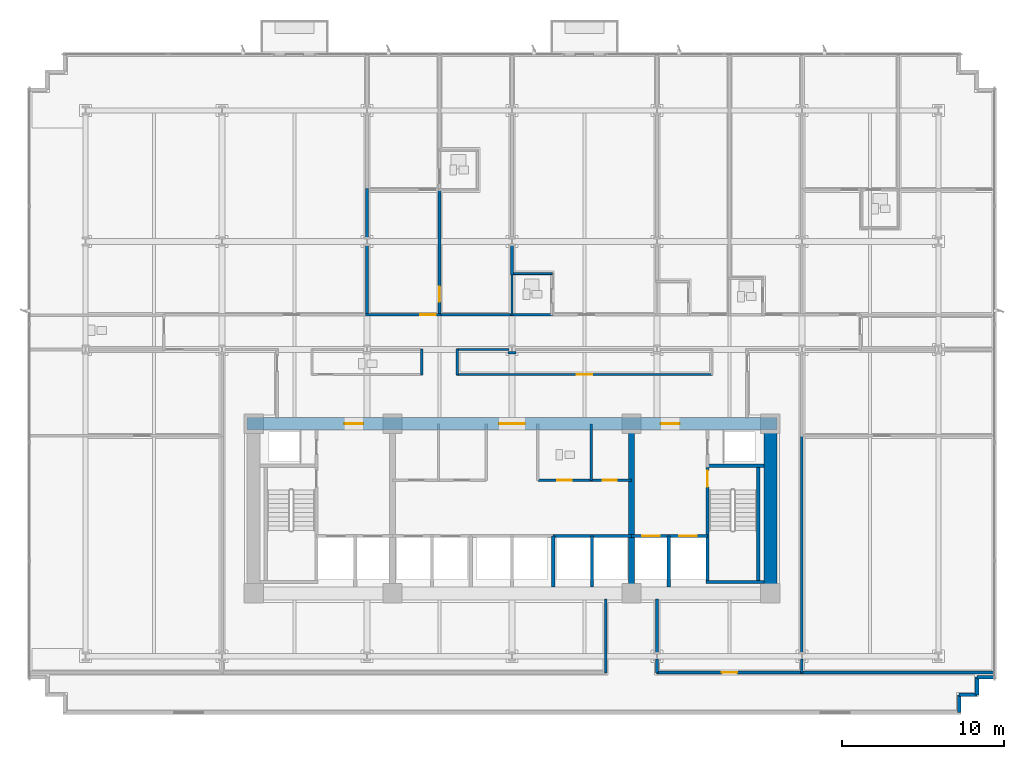
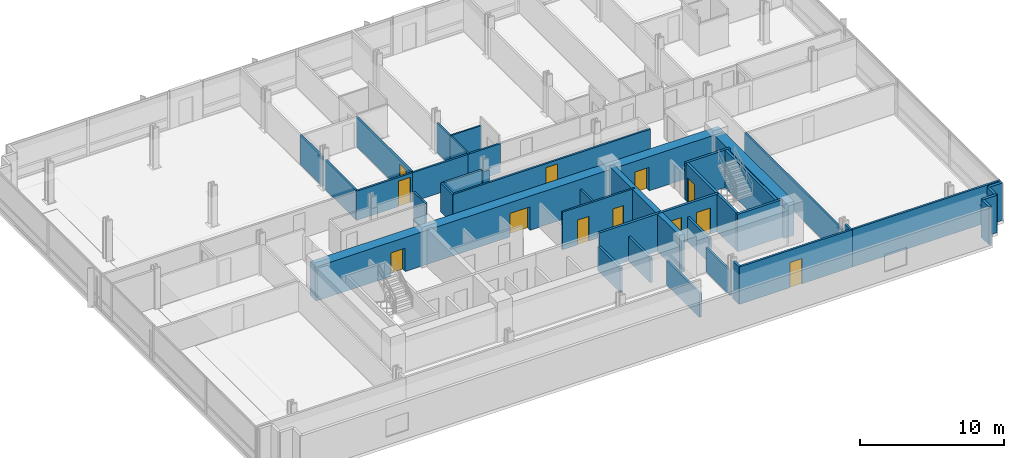
# One storey, part 9 of 17: 39 walls, 12 doors, 12 openings.
"""IFC4 building model written with IfcOpenShell, lengths in metres."""

import ifcopenshell
import ifcopenshell.guid

model = None  # the IFC model being written
_history = None  # IfcOwnerHistory: only IFC2X3 demands one
_inside = {}  # id of a spatial element -> (the spatial element, [elements in it])
_under = {}  # id of a project, library or spatial element -> (it, [spatial elements below it])
_declared = {}  # id of a project -> (the project, [libraries it declares])
_typed = {}  # id of a type object -> (the type object, [elements of that type])
_made_of = {}  # id of a material, layer set ... -> (it, [elements and type objects made of it])


def new_model(schema):
    """Start an empty IFC model of exactly this schema.

    Asked for "IFC4X3", IfcOpenShell would pick the latest addendum, in which some entities
    have other attributes; the version numbers below select the first issue.
    IFC2X3 requires an IfcOwnerHistory on every rooted entity: one is made here for all.
    """
    global model, _history
    if schema == "IFC4X3":
        model = ifcopenshell.file(schema_version=(4, 3, 0, 0))
    else:
        model = ifcopenshell.file(schema=schema)
    _inside.clear()
    _under.clear()
    _declared.clear()
    _typed.clear()
    _made_of.clear()
    _history = None
    if model.schema == "IFC2X3":
        org = make("IfcOrganization", Name="unknown")
        user = make(
            "IfcPersonAndOrganization",
            ThePerson=make("IfcPerson", FamilyName="unknown"),
            TheOrganization=org,
        )
        app = make(
            "IfcApplication",
            ApplicationDeveloper=org,
            Version="unknown",
            ApplicationFullName="unknown",
            ApplicationIdentifier="unknown",
        )
        _history = make(
            "IfcOwnerHistory",
            OwningUser=user,
            OwningApplication=app,
            ChangeAction="ADDED",
            CreationDate=0,
        )
    return model


def make(cls, **values):
    """One entity of the class cls with the attributes given. An attribute that is None is left unset."""
    return model.create_entity(
        cls, **{name: value for name, value in values.items() if value is not None}
    )


def rooted(cls, **values):
    """An entity with a GlobalId (a new one), such as an element, a storey or a relation."""
    return make(cls, GlobalId=ifcopenshell.guid.new(), OwnerHistory=_history, **values)


def si_unit(unit_type, name, prefix=None):
    """IfcSIUnit, for example si_unit("LENGTHUNIT", "METRE", prefix="MILLI")."""
    return make("IfcSIUnit", UnitType=unit_type, Prefix=prefix, Name=name)


def assignment(units):
    """IfcUnitAssignment: the units of a project."""
    return None if units is None else make("IfcUnitAssignment", Units=units)


def point(xyz):
    """IfcCartesianPoint."""
    return None if xyz is None else make("IfcCartesianPoint", Coordinates=xyz)


def direction(xyz):
    """IfcDirection."""
    return None if xyz is None else make("IfcDirection", DirectionRatios=xyz)


def frame(location, z_axis=None, x_axis=None):
    """IfcAxis2Placement3D, a coordinate frame: its origin and axes. An axis left out is left unset."""
    return make(
        "IfcAxis2Placement3D",
        Location=point(location),
        Axis=direction(z_axis),
        RefDirection=direction(x_axis),
    )


def frame_2d(location, x_axis=None):
    """IfcAxis2Placement2D, a coordinate frame in the plane: its origin and x axis."""
    return make(
        "IfcAxis2Placement2D", Location=point(location), RefDirection=direction(x_axis)
    )


def origin():
    """The frame at (0, 0, 0) with its axes left unset."""
    return frame((0.0, 0.0, 0.0))


def place(relative_to, where):
    """IfcLocalPlacement: puts the frame where relative to a parent placement (None: the world)."""
    return make(
        "IfcLocalPlacement", PlacementRelTo=relative_to, RelativePlacement=where
    )


def context(
    kind, dimensions, precision=None, world=None, true_north=None, identifier=None
):
    """IfcGeometricRepresentationContext, for example the 3D "Model" context."""
    return make(
        "IfcGeometricRepresentationContext",
        ContextIdentifier=identifier,
        ContextType=kind,
        CoordinateSpaceDimension=dimensions,
        Precision=precision,
        WorldCoordinateSystem=world,
        TrueNorth=true_north,
    )


def subcontext(parent, identifier, kind, view, scale=None):
    """IfcGeometricRepresentationSubContext, for example "Body" below "Model"."""
    return make(
        "IfcGeometricRepresentationSubContext",
        ContextIdentifier=identifier,
        ContextType=kind,
        ParentContext=parent,
        TargetScale=scale,
        TargetView=view,
    )


def project(units=None, contexts=None):
    """IfcProject with its units and contexts."""
    return rooted(
        "IfcProject",
        Name="project",
        RepresentationContexts=contexts,
        UnitsInContext=assignment(units),
    )


def spatial(cls, under=None, at=None, **own):
    """A site, building, storey or space (cls), placed at a placement, below another one or the project."""
    s = rooted(cls, ObjectPlacement=at, **own)
    if under is not None:
        _under.setdefault(under.id(), (under, []))[1].append(s)
    return s


def profile(cls, at=None, kind="AREA", **sizes):
    """A parametric profile (cls). Its sizes go by their IFC names, for example OverallWidth=200.0."""
    return make(cls, ProfileType=kind, Position=at, **sizes)


def rectangle(**sizes):
    """IfcRectangleProfileDef."""
    return profile("IfcRectangleProfileDef", **sizes)


def extrude(swept, where, along, depth):
    """IfcExtrudedAreaSolid: the profile swept, set in the frame where, extruded along a direction by depth."""
    return make(
        "IfcExtrudedAreaSolid",
        SweptArea=swept,
        Position=where,
        ExtrudedDirection=direction(along),
        Depth=depth,
    )


def shape(context_of_items, identifier, shape_type, items):
    """IfcShapeRepresentation: the items that make up one representation, for example the "Body"."""
    return make(
        "IfcShapeRepresentation",
        ContextOfItems=context_of_items,
        RepresentationIdentifier=identifier,
        RepresentationType=shape_type,
        Items=items,
    )


def material(Name=None, Category=None):
    """IfcMaterial."""
    return make("IfcMaterial", Name=Name, Category=Category)


def layer(
    of_material, thickness, ventilated=None, Name=None, Category=None, Priority=None
):
    """IfcMaterialLayer: one layer of a wall or slab, of a material (None: an air gap)."""
    return make(
        "IfcMaterialLayer",
        Material=of_material,
        LayerThickness=thickness,
        IsVentilated=ventilated,
        Name=Name,
        Category=Category,
        Priority=Priority,
    )


def layer_set(layers, Name=None):
    """IfcMaterialLayerSet."""
    return make("IfcMaterialLayerSet", MaterialLayers=layers, LayerSetName=Name)


def made_of(thing, what):
    """Note that an element or type object is made of a material, layer set ...; save() writes the relation."""
    if what is not None:
        _made_of.setdefault(what.id(), (what, []))[1].append(thing)
    return thing


def type_object(cls, material=None, **own):
    """A type object (cls), such as IfcWallType, which elements share."""
    return made_of(rooted(cls, **own), material)


def element(
    cls,
    number,
    at=None,
    inside=None,
    cuts=None,
    type_object=None,
    material=None,
    context=None,
    identifier="Body",
    shape_type=None,
    held_by="IfcProductDefinitionShape",
    body=None,
    shapes=None,
    **own,
):
    """One element of the class cls, such as IfcWall. Its Tag is "e" and its number.

    at: its placement. inside: the storey or other place that contains it. cuts: it is an
    opening in that element (IfcRelVoidsElement). A single representation is given by context,
    identifier, shape_type and body (its items); several are given by shapes. held_by: the class
    of the entity that holds the representations. save() writes the other relations.
    """
    e = rooted(cls, Tag="e%d" % number, ObjectPlacement=at, **own)
    if body is not None:
        shapes = [shape(context, identifier, shape_type, body)]
    if shapes is not None:
        e.Representation = make(held_by, Representations=shapes)
    if inside is not None:
        _inside.setdefault(inside.id(), (inside, []))[1].append(e)
    if cuts is not None:
        rooted(
            "IfcRelVoidsElement", RelatingBuildingElement=cuts, RelatedOpeningElement=e
        )
    if type_object is not None:
        _typed.setdefault(type_object.id(), (type_object, []))[1].append(e)
    return made_of(e, material)


def fill(opening, filler):
    """IfcRelFillsElement: the door or window that sits in an opening."""
    return rooted(
        "IfcRelFillsElement",
        RelatingOpeningElement=opening,
        RelatedBuildingElement=filler,
    )


def aggregate(whole, parts):
    """IfcRelAggregates: a whole, such as a stair, and the parts it consists of."""
    return rooted("IfcRelAggregates", RelatingObject=whole, RelatedObjects=parts)


def save(model, path):
    """Write the relations noted so far, then the file.

    IfcRelAggregates (storeys below a building ...), IfcRelContainedInSpatialStructure (elements
    in a storey), IfcRelDefinesByType, IfcRelAssociatesMaterial and IfcRelDeclares: one each for
    every whole, place, type object, material and project.
    """
    for whole, parts in _under.values():
        aggregate(whole, parts)
    for where, things in _inside.values():
        rooted(
            "IfcRelContainedInSpatialStructure",
            RelatedElements=things,
            RelatingStructure=where,
        )
    for kind, things in _typed.values():
        rooted("IfcRelDefinesByType", RelatedObjects=things, RelatingType=kind)
    for what, things in _made_of.values():
        rooted("IfcRelAssociatesMaterial", RelatedObjects=things, RelatingMaterial=what)
    for by, libraries in _declared.values():
        rooted("IfcRelDeclares", RelatingContext=by, RelatedDefinitions=libraries)
    model.write(path)


model = new_model("IFC4")

# Units and contexts
model_context = context("Model", 3, precision=1e-05, world=origin(), true_north=direction((0.0, 1.0)))
body_context = subcontext(model_context, "Body", "Model", "MODEL_VIEW")
ifc_project = project(units=[si_unit("LENGTHUNIT", "METRE"), si_unit("AREAUNIT", "SQUARE_METRE"), si_unit("VOLUMEUNIT", "CUBIC_METRE"), si_unit("PLANEANGLEUNIT", "RADIAN"), si_unit("MASSUNIT", "GRAM", prefix="KILO")], contexts=[model_context])

# Site, building, storey
site_placement = place(None, origin())
site = spatial("IfcSite", under=ifc_project, at=site_placement, CompositionType="ELEMENT")
building_placement = place(site_placement, origin())
building = spatial("IfcBuilding", under=site, at=building_placement, Name="Solmavex Isthmus Hotel", CompositionType="ELEMENT")
storey_placement = place(building_placement, frame((0.0, 0.0, 47.10009765625)))
storey = spatial("IfcBuildingStorey", under=building, at=storey_placement, Name="L12", CompositionType="ELEMENT", Elevation=47.10009765625)

# Walls
ifc_material_1 = material(Name="Precast Concrete C40/50", Category="concrete")
ifc_layer_1 = layer(ifc_material_1, 0.25)
ifc_layer_set_1 = layer_set([ifc_layer_1], Name="Precast Concrete C40/50")
wall_type_1 = type_object("IfcWallType", Name="EW-TWR-250", PredefinedType="STANDARD", material=ifc_layer_set_1)
wall_1_placement = place(storey_placement, frame((29.889892578125, -18.18994140625, 0.0), z_axis=(0.0, 0.0, 1.0), x_axis=(-1.0, 0.0, 0.0)))
element("IfcWall", 1, at=wall_1_placement, inside=storey, type_object=wall_type_1, Name="Serrated Corner Facade Panel L12-16", PredefinedType="STANDARD", context=body_context, shape_type="SweptSolid", body=[
    extrude(rectangle(XDim=1.099853515625, YDim=0.219970703125, at=frame_2d((0.5498046875, 0.0))), origin(), (0.0, 0.0, 1.0), 3.18994140625),
])
for number, where, z_axis, x_axis, name in (
    (2, (28.7900390625, -18.18994140625, 0.0), (0.0, 0.0, 1.0), (0.0, -1.0, 0.0), "Serrated Corner Facade Panel L12-17"),
    (3, (28.7900390625, -19.2900390625, 0.0), (0.0, 0.0, 1.0), (-1.0, 0.0, 0.0), "Serrated Corner Facade Panel L12-18"),
):
    element("IfcWall", number, at=place(storey_placement, frame(where, z_axis=z_axis, x_axis=x_axis)), inside=storey, type_object=wall_type_1, Name=name, PredefinedType="STANDARD", context=body_context, shape_type="SweptSolid", body=[
        extrude(rectangle(XDim=1.10009765625, YDim=0.219970703125, at=frame_2d((0.550048828125, 0.0))), origin(), (0.0, 0.0, 1.0), 3.18994140625),
    ])
wall_2_placement = place(storey_placement, frame((27.68994140625, -19.2900390625, 0.0), z_axis=(0.0, 0.0, 1.0), x_axis=(0.0, -1.0, 0.0)))
element("IfcWall", 4, at=wall_2_placement, inside=storey, type_object=wall_type_1, Name="Serrated Corner Facade Panel L12-19", PredefinedType="STANDARD", context=body_context, shape_type="SweptSolid", body=[
    extrude(rectangle(XDim=1.099853515625, YDim=0.219970703125, at=frame_2d((0.5498046875, 0.0))), origin(), (0.0, 0.0, 1.0), 3.18994140625),
])
ifc_material_2 = material(Name="Gypsum plasterboard lining", Category="gypsum")
ifc_layer_2 = layer(ifc_material_2, 0.159912109375)
ifc_layer_set_2 = layer_set([ifc_layer_2], Name="Gypsum plasterboard lining")
wall_type_2 = type_object("IfcWallType", Name="IW-COMP-160", PredefinedType="PARTITIONING", material=ifc_layer_set_2)
wall_3_placement = place(storey_placement, frame((-8.97607421875, 8.613037109375, 0.0), z_axis=(0.0, 0.0, 1.0), x_axis=(0.0, -1.0, 0.0)))
element("IfcWall", 5, at=wall_3_placement, inside=storey, type_object=wall_type_2, Name="Interior Partition Wall W-L12-P033", PredefinedType="PARTITIONING", context=body_context, shape_type="SweptSolid", body=[
    extrude(rectangle(XDim=4.403076171875, YDim=0.159912109375, at=frame_2d((2.20166015625, 0.0))), origin(), (0.0, 0.0, 1.0), 2.4794921875),
])
wall_4_placement = place(storey_placement, frame((-8.97607421875, 12.070068359375, 0.0), z_axis=(0.0, 0.0, 1.0), x_axis=(0.0, -1.0, 0.0)))
element("IfcWall", 6, at=wall_4_placement, inside=storey, type_object=wall_type_2, Name="Interior Partition Wall W-L12-P034", PredefinedType="PARTITIONING", context=body_context, shape_type="SweptSolid", body=[
    extrude(rectangle(XDim=3.107177734375, YDim=0.159912109375, at=frame_2d((1.5537109375, 0.0))), origin(), (0.0, 0.0, 1.0), 2.4794921875),
])

# Wall, opening, door
wall_5_placement = place(storey_placement, frame((-4.488037109375, 12.028076171875, 0.0), z_axis=(0.0, 0.0, 1.0), x_axis=(0.0, -1.0, 0.0)))
wall_5 = element("IfcWall", 7, at=wall_5_placement, inside=storey, type_object=wall_type_2, Name="Interior Partition Wall W-L12-P039", PredefinedType="PARTITIONING", context=body_context, shape_type="SweptSolid", body=[
    extrude(rectangle(XDim=7.818115234375, YDim=0.159912109375, at=frame_2d((3.9091796875, 0.0))), origin(), (0.0, 0.0, 1.0), 2.4794921875),
])
opening_1_placement = place(wall_5_placement, frame((6.033935546875, 0.0, 0.0)))
opening_1 = element("IfcOpeningElement", 8, at=opening_1_placement, cuts=wall_5, Name="Opening ID-C095", PredefinedType="OPENING", context=body_context, shape_type="SweptSolid", body=[
    extrude(rectangle(XDim=0.949951171875, YDim=2.14990234375, at=frame_2d((0.47509765625, 1.074951171875))), frame((0.0, 0.08984375, 0.0), z_axis=(0.0, -1.0, 0.0), x_axis=(1.0, 0.0, 0.0)), (0.0, 0.0, 1.0), 0.179931640625),
])
ifc_material_3 = material(Name="Hardwood timber", Category="wood")
door_type_1 = type_object("IfcDoorType", Name="IDR-FD60-0950", OperationType="NOTDEFINED", PredefinedType="DOOR", material=ifc_material_3)
door_1_placement = place(opening_1_placement, origin())
door_1 = element("IfcDoor", 9, at=door_1_placement, inside=storey, type_object=door_type_1, Name="Premier Suite Living Lounge Door L12-04", OperationType="SINGLE_SWING_RIGHT", OverallHeight=2.14990234375, OverallWidth=0.949951171875, PredefinedType="DOOR", context=body_context, shape_type="SweptSolid", body=[
    extrude(rectangle(XDim=0.949951171875, YDim=2.14990234375, at=frame_2d((0.47509765625, 1.074951171875))), frame((0.0, 0.02490234375, 0.0), z_axis=(0.0, -1.0, 0.0), x_axis=(1.0, 0.0, 0.0)), (0.0, 0.0, 1.0), 0.050048828125),
])
fill(opening_1, door_1)

# Wall
wall_6_placement = place(storey_placement, frame((0.0, 8.613037109375, 0.0), z_axis=(0.0, 0.0, 1.0), x_axis=(0.0, -1.0, 0.0)))
element("IfcWall", 10, at=wall_6_placement, inside=storey, type_object=wall_type_2, Name="Interior Partition Wall W-L12-P045", PredefinedType="PARTITIONING", context=body_context, shape_type="SweptSolid", body=[
    extrude(rectangle(XDim=1.89501953125, YDim=0.159912109375, at=frame_2d((0.947509765625, 0.0))), origin(), (0.0, 0.0, 1.0), 2.4794921875),
])

# Wall, opening, door
wall_7_placement = place(storey_placement, frame((17.991943359375, -17.89990234375, 0.0), z_axis=(0.0, 0.0, 1.0), x_axis=(-1.0, 0.0, 0.0)))
wall_7 = element("IfcWall", 11, at=wall_7_placement, inside=storey, type_object=wall_type_2, Name="Interior Partition Wall W-L12-P081", PredefinedType="PARTITIONING", context=body_context, shape_type="SweptSolid", body=[
    extrude(rectangle(XDim=9.055908203125, YDim=0.159912109375, at=frame_2d((4.52783203125, 0.0))), origin(), (0.0, 0.0, 1.0), 3.18994140625),
])
opening_2_placement = place(wall_7_placement, frame((4.052978515625, 0.0, 0.0)))
opening_2 = element("IfcOpeningElement", 12, at=opening_2_placement, cuts=wall_7, Name="Opening ID-C095", PredefinedType="OPENING", context=body_context, shape_type="SweptSolid", body=[
    extrude(rectangle(XDim=0.949951171875, YDim=2.14990234375, at=frame_2d((0.47509765625, 1.074951171875))), frame((0.0, 0.08984375, 0.0), z_axis=(0.0, -1.0, 0.0), x_axis=(1.0, 0.0, 0.0)), (0.0, 0.0, 1.0), 0.179931640625),
])
door_2_placement = place(opening_2_placement, origin())
door_2 = element("IfcDoor", 13, at=door_2_placement, inside=storey, type_object=door_type_1, Name="Corporate Briefing Office Door L12-24", OperationType="SINGLE_SWING_RIGHT", OverallHeight=2.14990234375, OverallWidth=0.949951171875, PredefinedType="DOOR", context=body_context, shape_type="SweptSolid", body=[
    extrude(rectangle(XDim=0.949951171875, YDim=2.14990234375, at=frame_2d((0.47509765625, 1.074951171875))), frame((0.0, 0.02490234375, 0.0), z_axis=(0.0, -1.0, 0.0), x_axis=(1.0, 0.0, 0.0)), (0.0, 0.0, 1.0), 0.050048828125),
])
fill(opening_2, door_2)

# Walls
wall_8_placement = place(storey_placement, frame((8.97607421875, -17.93994140625, 0.0), z_axis=(0.0, 0.0, 1.0), x_axis=(0.0, 1.0, 0.0)))
element("IfcWall", 14, at=wall_8_placement, inside=storey, type_object=wall_type_2, Name="Interior Partition Wall W-L12-P082", PredefinedType="PARTITIONING", context=body_context, shape_type="SweptSolid", body=[
    extrude(rectangle(XDim=0.864990234375, YDim=0.159912109375, at=frame_2d((0.4326171875, 0.0))), origin(), (0.0, 0.0, 1.0), 3.18994140625),
])
wall_9_placement = place(storey_placement, frame((8.97607421875, -16.72509765625, 0.0), z_axis=(0.0, 0.0, 1.0), x_axis=(0.0, 1.0, 0.0)))
element("IfcWall", 15, at=wall_9_placement, inside=storey, type_object=wall_type_2, Name="Interior Partition Wall W-L12-P083", PredefinedType="PARTITIONING", context=body_context, shape_type="SweptSolid", body=[
    extrude(rectangle(XDim=3.364990234375, YDim=0.159912109375, at=frame_2d((1.6826171875, 0.0))), origin(), (0.0, 0.0, 1.0), 2.074951171875),
])
wall_10_placement = place(storey_placement, frame((17.951904296875, -17.074951171875, 0.0), z_axis=(0.0, 0.0, 1.0), x_axis=(0.0, -1.0, 0.0)))
element("IfcWall", 16, at=wall_10_placement, inside=storey, type_object=wall_type_2, Name="Interior Partition Wall W-L12-P084", PredefinedType="PARTITIONING", context=body_context, shape_type="SweptSolid", body=[
    extrude(rectangle(XDim=0.864990234375, YDim=0.159912109375, at=frame_2d((0.4326171875, 0.0))), origin(), (0.0, 0.0, 1.0), 3.18994140625),
])
wall_11_placement = place(storey_placement, frame((17.951904296875, -3.16796875, 0.0), z_axis=(0.0, 0.0, 1.0), x_axis=(0.0, -1.0, 0.0)))
element("IfcWall", 17, at=wall_11_placement, inside=storey, type_object=wall_type_2, Name="Interior Partition Wall W-L12-P085", PredefinedType="PARTITIONING", context=body_context, shape_type="SweptSolid", body=[
    extrude(rectangle(XDim=13.55712890625, YDim=0.159912109375, at=frame_2d((6.778564453125, 0.0))), origin(), (0.0, 0.0, 1.0), 2.4794921875),
])
wall_12_placement = place(storey_placement, frame((5.800048828125, -13.360107421875, 0.0), z_axis=(0.0, 0.0, 1.0), x_axis=(0.0, -1.0, 0.0)))
element("IfcWall", 18, at=wall_12_placement, inside=storey, type_object=wall_type_2, Name="Interior Partition Wall W-L12-P086", PredefinedType="PARTITIONING", context=body_context, shape_type="SweptSolid", body=[
    extrude(rectangle(XDim=4.579833984375, YDim=0.159912109375, at=frame_2d((2.2900390625, 0.0))), origin(), (0.0, 0.0, 1.0), 2.074951171875),
])
wall_13_placement = place(storey_placement, frame((17.8701171875, -17.89990234375, 0.0), z_axis=(0.0, 0.0, 1.0), x_axis=(1.0, 0.0, 0.0)))
element("IfcWall", 19, at=wall_13_placement, inside=storey, type_object=wall_type_2, Name="Interior Partition Wall W-L12-P091", PredefinedType="PARTITIONING", context=body_context, shape_type="SweptSolid", body=[
    extrude(rectangle(XDim=12.0498046875, YDim=0.159912109375, at=frame_2d((6.02490234375, 0.0))), origin(), (0.0, 0.0, 1.0), 3.18994140625),
])

# Wall, openings, doors
ifc_layer_3 = layer(ifc_material_2, 0.14990234375)
ifc_layer_set_3 = layer_set([ifc_layer_3], Name="Gypsum plasterboard lining")
wall_type_3 = type_object("IfcWallType", Name="IW-CORR-150", PredefinedType="PARTITIONING", material=ifc_layer_set_3)
wall_14_placement = place(storey_placement, frame((1.60009765625, -6.0, 0.0), z_axis=(0.0, 0.0, 1.0), x_axis=(1.0, 0.0, 0.0)))
wall_14 = element("IfcWall", 20, at=wall_14_placement, inside=storey, type_object=wall_type_3, Name="Interior Partition Wall W-L12-BOH-ES", PredefinedType="PARTITIONING", context=body_context, shape_type="SweptSolid", body=[
    extrude(rectangle(XDim=5.7998046875, YDim=0.14990234375, at=frame_2d((2.89990234375, 0.0))), origin(), (0.0, 0.0, 1.0), 3.18994140625),
])
opening_3_placement = place(wall_14_placement, frame((1.199951171875, 0.0, 0.0)))
opening_3 = element("IfcOpeningElement", 21, at=opening_3_placement, cuts=wall_14, Name="Opening ID-C090", PredefinedType="OPENING", context=body_context, shape_type="SweptSolid", body=[
    extrude(rectangle(XDim=0.89990234375, YDim=2.10009765625, at=frame_2d((0.449951171875, 1.050048828125))), frame((0.0, 0.0849609375, 0.0), z_axis=(0.0, -1.0, 0.0), x_axis=(1.0, 0.0, 0.0)), (0.0, 0.0, 1.0), 0.169921875),
])
opening_4_placement = place(wall_14_placement, frame((4.02490234375, 0.0, 0.0)))
opening_4 = element("IfcOpeningElement", 22, at=opening_4_placement, cuts=wall_14, Name="Opening ID-R085", PredefinedType="OPENING", context=body_context, shape_type="SweptSolid", body=[
    extrude(rectangle(XDim=0.85009765625, YDim=2.050048828125, at=frame_2d((0.425048828125, 1.02490234375))), frame((0.0, 0.0849609375, 0.0), z_axis=(0.0, -1.0, 0.0), x_axis=(1.0, 0.0, 0.0)), (0.0, 0.0, 1.0), 0.169921875),
])
ifc_material_4 = material(Name="Steel ASTM A500 Grade C", Category="steel")
door_type_2 = type_object("IfcDoorType", Name="IDR-FD60-0850", OperationType="NOTDEFINED", PredefinedType="DOOR", material=ifc_material_4)
door_3_placement = place(opening_4_placement, frame((0.85009765625, 0.0, 0.0), z_axis=(0.0, 0.0, 1.0), x_axis=(-1.0, 0.0, 0.0)))
door_3 = element("IfcDoor", 23, at=door_3_placement, inside=storey, type_object=door_type_2, Name="IT Room Door L12", OperationType="SINGLE_SWING_RIGHT", OverallHeight=2.050048828125, OverallWidth=0.85009765625, PredefinedType="DOOR", context=body_context, shape_type="SweptSolid", body=[
    extrude(rectangle(XDim=0.85009765625, YDim=2.050048828125, at=frame_2d((0.425048828125, 1.02490234375))), frame((0.0, 0.02490234375, 0.0), z_axis=(0.0, -1.0, 0.0), x_axis=(1.0, 0.0, 0.0)), (0.0, 0.0, 1.0), 0.050048828125),
])
fill(opening_4, door_3)
door_type_3 = type_object("IfcDoorType", Name="IDR-FD60-0900", OperationType="NOTDEFINED", PredefinedType="DOOR", material=ifc_material_3)
door_4_placement = place(opening_3_placement, frame((0.89990234375, 0.0, 0.0), z_axis=(0.0, 0.0, 1.0), x_axis=(-1.0, 0.0, 0.0)))
door_4 = element("IfcDoor", 24, at=door_4_placement, inside=storey, type_object=door_type_3, Name="Staff Restroom Door L12", OperationType="SINGLE_SWING_LEFT", OverallHeight=2.10009765625, OverallWidth=0.89990234375, PredefinedType="DOOR", context=body_context, shape_type="SweptSolid", body=[
    extrude(rectangle(XDim=0.89990234375, YDim=2.10009765625, at=frame_2d((0.449951171875, 1.050048828125))), frame((0.0, 0.02490234375, 0.0), z_axis=(0.0, -1.0, 0.0), x_axis=(1.0, 0.0, 0.0)), (0.0, 0.0, 1.0), 0.050048828125),
])
fill(opening_3, door_4)

# Wall, opening, door
wall_15_placement = place(storey_placement, frame((-9.05810546875, 4.25, 0.0), z_axis=(0.0, 0.0, 1.0), x_axis=(1.0, 0.0, 0.0)))
wall_15 = element("IfcWall", 25, at=wall_15_placement, inside=storey, type_object=wall_type_3, Name="Interior Partition Wall W-L12-P002", PredefinedType="PARTITIONING", context=body_context, shape_type="SweptSolid", body=[
    extrude(rectangle(XDim=4.652099609375, YDim=0.14990234375, at=frame_2d((2.326171875, 0.0))), origin(), (0.0, 0.0, 1.0), 2.4794921875),
])
opening_5_placement = place(wall_15_placement, frame((3.38720703125, 0.0, 0.0)))
opening_5 = element("IfcOpeningElement", 26, at=opening_5_placement, cuts=wall_15, Name="Opening ID-C095", PredefinedType="OPENING", context=body_context, shape_type="SweptSolid", body=[
    extrude(rectangle(XDim=0.949951171875, YDim=2.14990234375, at=frame_2d((0.47509765625, 1.074951171875))), frame((0.0, 0.0849609375, 0.0), z_axis=(0.0, -1.0, 0.0), x_axis=(1.0, 0.0, 0.0)), (0.0, 0.0, 1.0), 0.169921875),
])
door_5_placement = place(opening_5_placement, origin())
door_5 = element("IfcDoor", 27, at=door_5_placement, inside=storey, type_object=door_type_1, Name="Premier Suite Entrance Hall Door L12-02", OperationType="SINGLE_SWING_RIGHT", OverallHeight=2.14990234375, OverallWidth=0.949951171875, PredefinedType="DOOR", context=body_context, shape_type="SweptSolid", body=[
    extrude(rectangle(XDim=0.949951171875, YDim=2.14990234375, at=frame_2d((0.47509765625, 1.074951171875))), frame((0.0, 0.02490234375, 0.0), z_axis=(0.0, -1.0, 0.0), x_axis=(1.0, 0.0, 0.0)), (0.0, 0.0, 1.0), 0.050048828125),
])
fill(opening_5, door_5)

# Walls
wall_16_placement = place(storey_placement, frame((-4.570068359375, 4.25, 0.0), z_axis=(0.0, 0.0, 1.0), x_axis=(1.0, 0.0, 0.0)))
element("IfcWall", 28, at=wall_16_placement, inside=storey, type_object=wall_type_3, Name="Interior Partition Wall W-L12-P003", PredefinedType="PARTITIONING", context=body_context, shape_type="SweptSolid", body=[
    extrude(rectangle(XDim=4.652099609375, YDim=0.14990234375, at=frame_2d((2.326171875, 0.0))), origin(), (0.0, 0.0, 1.0), 2.4794921875),
])
wall_17_placement = place(storey_placement, frame((-0.08203125, 4.25, 0.0), z_axis=(0.0, 0.0, 1.0), x_axis=(1.0, 0.0, 0.0)))
element("IfcWall", 29, at=wall_17_placement, inside=storey, type_object=wall_type_3, Name="Interior Partition Wall W-L12-P005", PredefinedType="PARTITIONING", context=body_context, shape_type="SweptSolid", body=[
    extrude(rectangle(XDim=2.614013671875, YDim=0.14990234375, at=frame_2d((1.30712890625, 0.0))), origin(), (0.0, 0.0, 1.0), 2.4794921875),
])
wall_18_placement = place(storey_placement, frame((-5.587890625, 0.510009765625, 0.0), z_axis=(0.0, 0.0, 1.0), x_axis=(0.0, 1.0, 0.0)))
element("IfcWall", 30, at=wall_18_placement, inside=storey, type_object=wall_type_3, Name="Interior Partition Wall W-L12-P014", PredefinedType="PARTITIONING", context=body_context, shape_type="SweptSolid", body=[
    extrude(rectangle(XDim=1.6298828125, YDim=0.14990234375, at=frame_2d((0.81494140625, 0.0))), origin(), (0.0, 0.0, 1.0), 2.4794921875),
])
wall_19_placement = place(storey_placement, frame((0.2548828125, 1.885009765625, 0.0), z_axis=(0.0, 0.0, 1.0), x_axis=(-1.0, 0.0, 0.0)))
element("IfcWall", 31, at=wall_19_placement, inside=storey, type_object=wall_type_3, Name="Interior Partition Wall W-L12-P019", PredefinedType="PARTITIONING", context=body_context, shape_type="SweptSolid", body=[
    extrude(rectangle(XDim=0.509765625, YDim=0.14990234375, at=frame_2d((0.2548828125, 0.0))), origin(), (0.0, 0.0, 1.0), 2.4794921875),
])
wall_20_placement = place(storey_placement, frame((-0.175048828125, 2.10009765625, 0.0), z_axis=(0.0, 0.0, 1.0), x_axis=(-1.0, 0.0, 0.0)))
element("IfcWall", 32, at=wall_20_placement, inside=storey, type_object=wall_type_3, Name="Interior Partition Wall W-L12-P020", PredefinedType="PARTITIONING", context=body_context, shape_type="SweptSolid", body=[
    extrude(rectangle(XDim=3.2529296875, YDim=0.14990234375, at=frame_2d((1.62646484375, 0.0))), origin(), (0.0, 0.0, 1.0), 2.4794921875),
])
wall_21_placement = place(storey_placement, frame((-3.387939453125, 2.139892578125, 0.0), z_axis=(0.0, 0.0, 1.0), x_axis=(0.0, -1.0, 0.0)))
element("IfcWall", 33, at=wall_21_placement, inside=storey, type_object=wall_type_3, Name="Interior Partition Wall W-L12-P021", PredefinedType="PARTITIONING", context=body_context, shape_type="SweptSolid", body=[
    extrude(rectangle(XDim=1.6298828125, YDim=0.14990234375, at=frame_2d((0.81494140625, 0.0))), origin(), (0.0, 0.0, 1.0), 2.4794921875),
])

# Wall, opening, door
wall_22_placement = place(storey_placement, frame((-3.427978515625, 0.550048828125, 0.0), z_axis=(0.0, 0.0, 1.0), x_axis=(1.0, 0.0, 0.0)))
wall_22 = element("IfcWall", 34, at=wall_22_placement, inside=storey, type_object=wall_type_3, Name="Interior Partition Wall W-L12-P022", PredefinedType="PARTITIONING", context=body_context, shape_type="SweptSolid", body=[
    extrude(rectangle(XDim=15.85205078125, YDim=0.14990234375, at=frame_2d((7.926025390625, 0.0))), origin(), (0.0, 0.0, 1.0), 2.4794921875),
])
opening_6_placement = place(wall_22_placement, frame((7.450927734375, 0.0, 0.0)))
opening_6 = element("IfcOpeningElement", 35, at=opening_6_placement, cuts=wall_22, Name="Opening ID-C095", PredefinedType="OPENING", context=body_context, shape_type="SweptSolid", body=[
    extrude(rectangle(XDim=0.949951171875, YDim=2.14990234375, at=frame_2d((0.47509765625, 1.074951171875))), frame((0.0, 0.0849609375, 0.0), z_axis=(0.0, -1.0, 0.0), x_axis=(1.0, 0.0, 0.0)), (0.0, 0.0, 1.0), 0.169921875),
])
door_6_placement = place(opening_6_placement, origin())
door_6 = element("IfcDoor", 36, at=door_6_placement, inside=storey, type_object=door_type_1, Name="Seminar Meeting Room Door L12-19", OperationType="SINGLE_SWING_LEFT", OverallHeight=2.14990234375, OverallWidth=0.949951171875, PredefinedType="DOOR", context=body_context, shape_type="SweptSolid", body=[
    extrude(rectangle(XDim=0.949951171875, YDim=2.14990234375, at=frame_2d((0.47509765625, 1.074951171875))), frame((0.0, 0.02490234375, 0.0), z_axis=(0.0, -1.0, 0.0), x_axis=(1.0, 0.0, 0.0)), (0.0, 0.0, 1.0), 0.050048828125),
])
fill(opening_6, door_6)

# Walls
ifc_layer_4 = layer(ifc_material_2, 0.1201171875)
ifc_layer_set_4 = layer_set([ifc_layer_4], Name="Gypsum plasterboard lining")
wall_type_4 = type_object("IfcWallType", Name="IW-PART-120", PredefinedType="PARTITIONING", material=ifc_layer_set_4)
wall_23_placement = place(storey_placement, frame((4.89990234375, -6.0, 0.0), z_axis=(0.0, 0.0, 1.0), x_axis=(0.0, 1.0, 0.0)))
element("IfcWall", 37, at=wall_23_placement, inside=storey, type_object=wall_type_4, Name="Interior Partition Wall W-L12-BOH-EM2", PredefinedType="PARTITIONING", context=body_context, shape_type="SweptSolid", body=[
    extrude(rectangle(XDim=3.5, YDim=0.14990234375, at=frame_2d((1.75, 0.0))), origin(), (0.0, 0.0, 1.0), 2.074951171875),
])
wall_24_placement = place(storey_placement, frame((0.0, 6.882080078125, 0.0), z_axis=(0.0, 0.0, 1.0), x_axis=(0.0, -1.0, 0.0)))
element("IfcWall", 38, at=wall_24_placement, inside=storey, type_object=wall_type_4, Name="Interior Partition Wall W-L12-P048", PredefinedType="PARTITIONING", context=body_context, shape_type="SweptSolid", body=[
    extrude(rectangle(XDim=2.672119140625, YDim=0.1201171875, at=frame_2d((1.3359375, 0.0))), origin(), (0.0, 0.0, 1.0), 2.4794921875),
])
wall_25_placement = place(storey_placement, frame((2.489990234375, 6.800048828125, 0.0), z_axis=(0.0, 0.0, 1.0), x_axis=(-1.0, 0.0, 0.0)))
element("IfcWall", 39, at=wall_25_placement, inside=storey, type_object=wall_type_4, Name="Interior Partition Wall W-L12-P050", PredefinedType="PARTITIONING", context=body_context, shape_type="SweptSolid", body=[
    extrude(rectangle(XDim=2.530029296875, YDim=0.1201171875, at=frame_2d((1.26513671875, 0.0))), origin(), (0.0, 0.0, 1.0), 2.4794921875),
])
ifc_material_5 = material(Name="Concrete C40/50", Category="concrete")
ifc_layer_5 = layer(ifc_material_5, 0.179931640625)
ifc_layer_set_5 = layer_set([ifc_layer_5], Name="Concrete C40/50")
wall_type_5 = type_object("IfcWallType", Name="IW-SHAFT-180", PredefinedType="PARTITIONING", material=ifc_layer_set_5)
wall_26_placement = place(storey_placement, frame((4.949951171875, -12.60009765625, 0.0), z_axis=(0.0, 0.0, 1.0), x_axis=(0.0, 1.0, 0.0)))
element("IfcWall", 40, at=wall_26_placement, inside=storey, type_object=wall_type_5, Name="Interior Partition Wall W-L12-SH-PLH-M", PredefinedType="PARTITIONING", context=body_context, shape_type="SweptSolid", body=[
    extrude(rectangle(XDim=3.150146484375, YDim=0.179931640625, at=frame_2d((1.5751953125, 0.0))), origin(), (0.0, 0.0, 1.0), 2.074951171875),
])

# Wall, openings, doors
ifc_layer_6 = layer(ifc_material_5, 0.199951171875)
ifc_layer_set_6 = layer_set([ifc_layer_6], Name="Concrete C40/50")
wall_type_6 = type_object("IfcWallType", Name="IW-SHAFT-200", PredefinedType="PARTITIONING", material=ifc_layer_set_6)
wall_27_placement = place(storey_placement, frame((7.39990234375, -9.449951171875, 0.0), z_axis=(0.0, 0.0, 1.0), x_axis=(1.0, 0.0, 0.0)))
wall_27 = element("IfcWall", 41, at=wall_27_placement, inside=storey, type_object=wall_type_6, Name="Interior Partition Wall W-L12-FFLE-S", PredefinedType="PARTITIONING", context=body_context, shape_type="SweptSolid", body=[
    extrude(rectangle(XDim=4.7001953125, YDim=0.199951171875, at=frame_2d((2.35009765625, 0.0))), origin(), (0.0, 0.0, 1.0), 3.18994140625),
])
opening_7_placement = place(wall_27_placement, frame((2.949951171875, 0.0, 0.0)))
opening_7 = element("IfcOpeningElement", 42, at=opening_7_placement, cuts=wall_27, Name="Opening LD-FF", PredefinedType="OPENING", context=body_context, shape_type="SweptSolid", body=[
    extrude(rectangle(XDim=1.10009765625, YDim=2.199951171875, at=frame_2d((0.550048828125, 1.10009765625))), frame((0.0, 0.10986328125, 0.0), z_axis=(0.0, -1.0, 0.0), x_axis=(1.0, 0.0, 0.0)), (0.0, 0.0, 1.0), 0.219970703125),
])
opening_8_placement = place(wall_27_placement, frame((0.64990234375, 0.0, 0.0)))
opening_8 = element("IfcOpeningElement", 43, at=opening_8_placement, cuts=wall_27, Name="Opening LD-SV", PredefinedType="OPENING", context=body_context, shape_type="SweptSolid", body=[
    extrude(rectangle(XDim=1.10009765625, YDim=2.199951171875, at=frame_2d((0.550048828125, 1.10009765625))), frame((0.0, 0.10986328125, 0.0), z_axis=(0.0, -1.0, 0.0), x_axis=(1.0, 0.0, 0.0)), (0.0, 0.0, 1.0), 0.219970703125),
])
ifc_material_6 = material(Name="Stainless steel 316", Category="steel")
door_type_4 = type_object("IfcDoorType", Name="LDR-FF-1100", OperationType="NOTDEFINED", PredefinedType="DOOR", material=ifc_material_6)
door_7_placement = place(opening_7_placement, origin())
door_7 = element("IfcDoor", 44, at=door_7_placement, inside=storey, type_object=door_type_4, Name="Lift Landing Door FFL-2 L12", OperationType="SLIDING_TO_LEFT", OverallHeight=2.199951171875, OverallWidth=1.10009765625, PredefinedType="DOOR", context=body_context, shape_type="SweptSolid", body=[
    extrude(rectangle(XDim=1.10009765625, YDim=2.199951171875, at=frame_2d((0.550048828125, 1.10009765625))), frame((0.0, 0.02490234375, 0.0), z_axis=(0.0, -1.0, 0.0), x_axis=(1.0, 0.0, 0.0)), (0.0, 0.0, 1.0), 0.050048828125),
])
fill(opening_7, door_7)
door_type_5 = type_object("IfcDoorType", Name="LDR-SV-1100", OperationType="NOTDEFINED", PredefinedType="DOOR", material=ifc_material_6)
door_8_placement = place(opening_8_placement, origin())
door_8 = element("IfcDoor", 45, at=door_8_placement, inside=storey, type_object=door_type_5, Name="Lift Landing Door SVL-2 L12", OperationType="SLIDING_TO_RIGHT", OverallHeight=2.199951171875, OverallWidth=1.10009765625, PredefinedType="DOOR", context=body_context, shape_type="SweptSolid", body=[
    extrude(rectangle(XDim=1.10009765625, YDim=2.199951171875, at=frame_2d((0.550048828125, 1.10009765625))), frame((0.0, 0.02490234375, 0.0), z_axis=(0.0, -1.0, 0.0), x_axis=(1.0, 0.0, 0.0)), (0.0, 0.0, 1.0), 0.050048828125),
])
fill(opening_8, door_8)

# Walls
for number, where, z_axis, x_axis, name in (
    (46, (9.699951171875, -12.60009765625, 0.0), (0.0, 0.0, 1.0), (0.0, 1.0, 0.0), "Interior Partition Wall W-L12-FFLE-M"),
    (47, (2.550048828125, -12.60009765625, 0.0), (0.0, 0.0, 1.0), (0.0, 1.0, 0.0), "Interior Partition Wall W-L12-SH-PLM-E"),
):
    element("IfcWall", number, at=place(storey_placement, frame(where, z_axis=z_axis, x_axis=x_axis)), inside=storey, type_object=wall_type_6, Name=name, PredefinedType="PARTITIONING", context=body_context, shape_type="SweptSolid", body=[
        extrude(rectangle(XDim=3.150146484375, YDim=0.199951171875, at=frame_2d((1.5751953125, 0.0))), origin(), (0.0, 0.0, 1.0), 2.074951171875),
    ])
wall_28_placement = place(storey_placement, frame((2.550048828125, -9.449951171875, 0.0), z_axis=(0.0, 0.0, 1.0), x_axis=(1.0, 0.0, 0.0)))
element("IfcWall", 48, at=wall_28_placement, inside=storey, type_object=wall_type_6, Name="Interior Partition Wall W-L12-SH-PLH", PredefinedType="PARTITIONING", context=body_context, shape_type="SweptSolid", body=[
    extrude(rectangle(XDim=4.849853515625, YDim=0.199951171875, at=frame_2d((2.4248046875, 0.0))), origin(), (0.0, 0.0, 1.0), 3.18994140625),
])
ifc_material_7 = material(Name="Concrete C70/85", Category="concrete")
ifc_layer_7 = layer(ifc_material_7, 0.39990234375)
ifc_layer_set_7 = layer_set([ifc_layer_7], Name="Concrete C70/85")
wall_type_7 = type_object("IfcWallType", Name="WALL-CW-400L", PredefinedType="SHEAR", material=ifc_layer_set_7)
wall_29_placement = place(storey_placement, frame((7.39990234375, -12.60009765625, 0.0), z_axis=(0.0, 0.0, 1.0), x_axis=(0.0, 1.0, 0.0)))
element("IfcWall", 49, at=wall_29_placement, inside=storey, type_object=wall_type_7, Name="Core Cross Shear Wall C2 L12", PredefinedType="SHEAR", context=body_context, shape_type="SweptSolid", body=[
    extrude(rectangle(XDim=9.7001953125, YDim=0.39990234375, at=frame_2d((4.85009765625, 0.0))), origin(), (0.0, 0.0, 1.0), 3.18994140625),
])

# Wall, openings, doors
ifc_layer_8 = layer(ifc_material_7, 0.800048828125)
ifc_layer_set_8 = layer_set([ifc_layer_8], Name="Concrete C70/85")
wall_type_8 = type_object("IfcWallType", Name="WALL-CW-800", PredefinedType="SHEAR", material=ifc_layer_set_8)
wall_30_placement = place(storey_placement, frame((-16.39990234375, -2.5, 0.0), z_axis=(0.0, 0.0, 1.0), x_axis=(1.0, 0.0, 0.0)))
wall_30 = element("IfcWall", 50, at=wall_30_placement, inside=storey, type_object=wall_type_8, Name="Core Shear Wall North L12", PredefinedType="SHEAR", context=body_context, shape_type="SweptSolid", body=[
    extrude(rectangle(XDim=32.7998046875, YDim=0.800048828125, at=frame_2d((16.39990234375, 0.0))), origin(), (0.0, 0.0, 1.0), 2.909912109375),
])
opening_9_placement = place(wall_30_placement, frame((6.02490234375, 0.0, 0.0)))
opening_9 = element("IfcOpeningElement", 51, at=opening_9_placement, cuts=wall_30, Name="Opening ID-F915", PredefinedType="OPENING", context=body_context, shape_type="SweptSolid", body=[
    extrude(rectangle(XDim=1.14990234375, YDim=2.0, at=frame_2d((0.574951171875, 1.0))), frame((0.0, 0.409912109375, 0.0), z_axis=(0.0, -1.0, 0.0), x_axis=(1.0, 0.0, 0.0)), (0.0, 0.0, 1.0), 0.820068359375),
])
opening_10_placement = place(wall_30_placement, frame((15.60009765625, 0.0, 0.0)))
opening_10 = element("IfcOpeningElement", 52, at=opening_10_placement, cuts=wall_30, Name="Opening ID-F960", PredefinedType="OPENING", context=body_context, shape_type="SweptSolid", body=[
    extrude(rectangle(XDim=1.60009765625, YDim=2.0, at=frame_2d((0.800048828125, 1.0))), frame((0.0, 0.409912109375, 0.0), z_axis=(0.0, -1.0, 0.0), x_axis=(1.0, 0.0, 0.0)), (0.0, 0.0, 1.0), 0.820068359375),
])
opening_11_placement = place(wall_30_placement, frame((25.625, 0.0, 0.0)))
opening_11 = element("IfcOpeningElement", 53, at=opening_11_placement, cuts=wall_30, Name="Opening ID-F915", PredefinedType="OPENING", context=body_context, shape_type="SweptSolid", body=[
    extrude(rectangle(XDim=1.14990234375, YDim=2.0, at=frame_2d((0.574951171875, 1.0))), frame((0.0, 0.409912109375, 0.0), z_axis=(0.0, -1.0, 0.0), x_axis=(1.0, 0.0, 0.0)), (0.0, 0.0, 1.0), 0.820068359375),
])
door_type_6 = type_object("IfcDoorType", Name="IDR-FD90-1150C", OperationType="NOTDEFINED", PredefinedType="DOOR", material=ifc_material_4)
door_9_placement = place(opening_9_placement, origin())
door_9 = element("IfcDoor", 54, at=door_9_placement, inside=storey, type_object=door_type_6, Name="Firefighting Lobby West Exit Door L12", OperationType="SINGLE_SWING_LEFT", OverallHeight=2.0, OverallWidth=1.14990234375, PredefinedType="DOOR", context=body_context, shape_type="SweptSolid", body=[
    extrude(rectangle(XDim=1.14990234375, YDim=2.0, at=frame_2d((0.574951171875, 1.0))), frame((0.0, 0.02490234375, 0.0), z_axis=(0.0, -1.0, 0.0), x_axis=(1.0, 0.0, 0.0)), (0.0, 0.0, 1.0), 0.050048828125),
])
fill(opening_9, door_9)
door_10_placement = place(opening_11_placement, origin())
door_10 = element("IfcDoor", 55, at=door_10_placement, inside=storey, type_object=door_type_6, Name="Firefighting Lobby East Exit Door L12", OperationType="SINGLE_SWING_RIGHT", OverallHeight=2.0, OverallWidth=1.14990234375, PredefinedType="DOOR", context=body_context, shape_type="SweptSolid", body=[
    extrude(rectangle(XDim=1.14990234375, YDim=2.0, at=frame_2d((0.574951171875, 1.0))), frame((0.0, 0.02490234375, 0.0), z_axis=(0.0, -1.0, 0.0), x_axis=(1.0, 0.0, 0.0)), (0.0, 0.0, 1.0), 0.050048828125),
])
fill(opening_11, door_10)
door_type_7 = type_object("IfcDoorType", Name="IDR-FD90-1600C", OperationType="NOTDEFINED", PredefinedType="DOOR", material=ifc_material_4)
door_11_placement = place(opening_10_placement, origin())
door_11 = element("IfcDoor", 56, at=door_11_placement, inside=storey, type_object=door_type_7, Name="Central Lift Lobby Door L12", OperationType="DOUBLE_DOOR_SINGLE_SWING", OverallHeight=2.0, OverallWidth=1.60009765625, PredefinedType="DOOR", context=body_context, shape_type="SweptSolid", body=[
    extrude(rectangle(XDim=1.60009765625, YDim=2.0, at=frame_2d((0.800048828125, 1.0))), frame((0.0, 0.02490234375, 0.0), z_axis=(0.0, -1.0, 0.0), x_axis=(1.0, 0.0, 0.0)), (0.0, 0.0, 1.0), 0.050048828125),
])
fill(opening_10, door_11)

# Walls
wall_31_placement = place(storey_placement, frame((16.0, -12.60009765625, 0.0), z_axis=(0.0, 0.0, 1.0), x_axis=(0.0, 1.0, 0.0)))
element("IfcWall", 57, at=wall_31_placement, inside=storey, type_object=wall_type_8, Name="Core Shear Wall East L12", PredefinedType="SHEAR", context=body_context, shape_type="SweptSolid", body=[
    extrude(rectangle(XDim=9.7001953125, YDim=0.800048828125, at=frame_2d((4.85009765625, 0.0))), origin(), (0.0, 0.0, 1.0), 2.909912109375),
])
ifc_layer_9 = layer(ifc_material_5, 0.199951171875)
ifc_layer_set_9 = layer_set([ifc_layer_9], Name="Concrete C40/50")
wall_type_9 = type_object("IfcWallType", Name="WALL-SW-200", PredefinedType="SOLIDWALL", material=ifc_layer_set_9)
for number, where, z_axis, x_axis, name in (
    (58, (12.0, -12.300048828125, 0.0), (0.0, 0.0, 1.0), (1.0, 0.0, 0.0), "Stairwell Structural Wall SW-L12-ST2-S"),
    (59, (12.0, -5.10009765625, 0.0), (0.0, 0.0, 1.0), (1.0, 0.0, 0.0), "Stairwell Structural Wall SW-L12-ST2-N"),
):
    element("IfcWall", number, at=place(storey_placement, frame(where, z_axis=z_axis, x_axis=x_axis)), inside=storey, type_object=wall_type_9, Name=name, PredefinedType="SOLIDWALL", context=body_context, shape_type="SweptSolid", body=[
        extrude(rectangle(XDim=3.60009765625, YDim=0.199951171875, at=frame_2d((1.800048828125, 0.0))), origin(), (0.0, 0.0, 1.0), 3.18994140625),
    ])

# Wall, opening, door
wall_32_placement = place(storey_placement, frame((12.10009765625, -12.199951171875, 0.0), z_axis=(0.0, 0.0, 1.0), x_axis=(0.0, 1.0, 0.0)))
wall_32 = element("IfcWall", 60, at=wall_32_placement, inside=storey, type_object=wall_type_9, Name="Stairwell Structural Wall SW-L12-ST2-W", PredefinedType="SOLIDWALL", context=body_context, shape_type="SweptSolid", body=[
    extrude(rectangle(XDim=7.0, YDim=0.199951171875, at=frame_2d((3.5, 0.0))), origin(), (0.0, 0.0, 1.0), 3.18994140625),
])
opening_12_placement = place(wall_32_placement, frame((5.800048828125, 0.0, 0.0)))
opening_12 = element("IfcOpeningElement", 61, at=opening_12_placement, cuts=wall_32, Name="Opening ID-F100", PredefinedType="OPENING", context=body_context, shape_type="SweptSolid", body=[
    extrude(rectangle(XDim=1.0, YDim=2.10009765625, at=frame_2d((0.5, 1.050048828125))), frame((0.0, 0.10986328125, 0.0), z_axis=(0.0, -1.0, 0.0), x_axis=(1.0, 0.0, 0.0)), (0.0, 0.0, 1.0), 0.219970703125),
])
door_type_8 = type_object("IfcDoorType", Name="IDR-FD90-1000", OperationType="NOTDEFINED", PredefinedType="DOOR", material=ifc_material_4)
door_12_placement = place(opening_12_placement, origin())
door_12 = element("IfcDoor", 62, at=door_12_placement, inside=storey, type_object=door_type_8, Name="Stair ST-2 Fire Door L12", OperationType="SINGLE_SWING_RIGHT", OverallHeight=2.10009765625, OverallWidth=1.0, PredefinedType="DOOR", context=body_context, shape_type="SweptSolid", body=[
    extrude(rectangle(XDim=1.0, YDim=2.10009765625, at=frame_2d((0.5, 1.050048828125))), frame((0.0, 0.02490234375, 0.0), z_axis=(0.0, -1.0, 0.0), x_axis=(1.0, 0.0, 0.0)), (0.0, 0.0, 1.0), 0.050048828125),
])
fill(opening_12, door_12)

# Wall
wall_33_placement = place(storey_placement, frame((15.25, -12.199951171875, 0.0), z_axis=(0.0, 0.0, 1.0), x_axis=(0.0, 1.0, 0.0)))
element("IfcWall", 63, at=wall_33_placement, inside=storey, type_object=wall_type_9, Name="Stairwell Structural Wall SW-L12-ST2-E", PredefinedType="SOLIDWALL", context=body_context, shape_type="SweptSolid", body=[
    extrude(rectangle(XDim=7.0, YDim=0.199951171875, at=frame_2d((3.5, 0.0))), origin(), (0.0, 0.0, 1.0), 3.18994140625),
])

save(model, "model.ifc")
